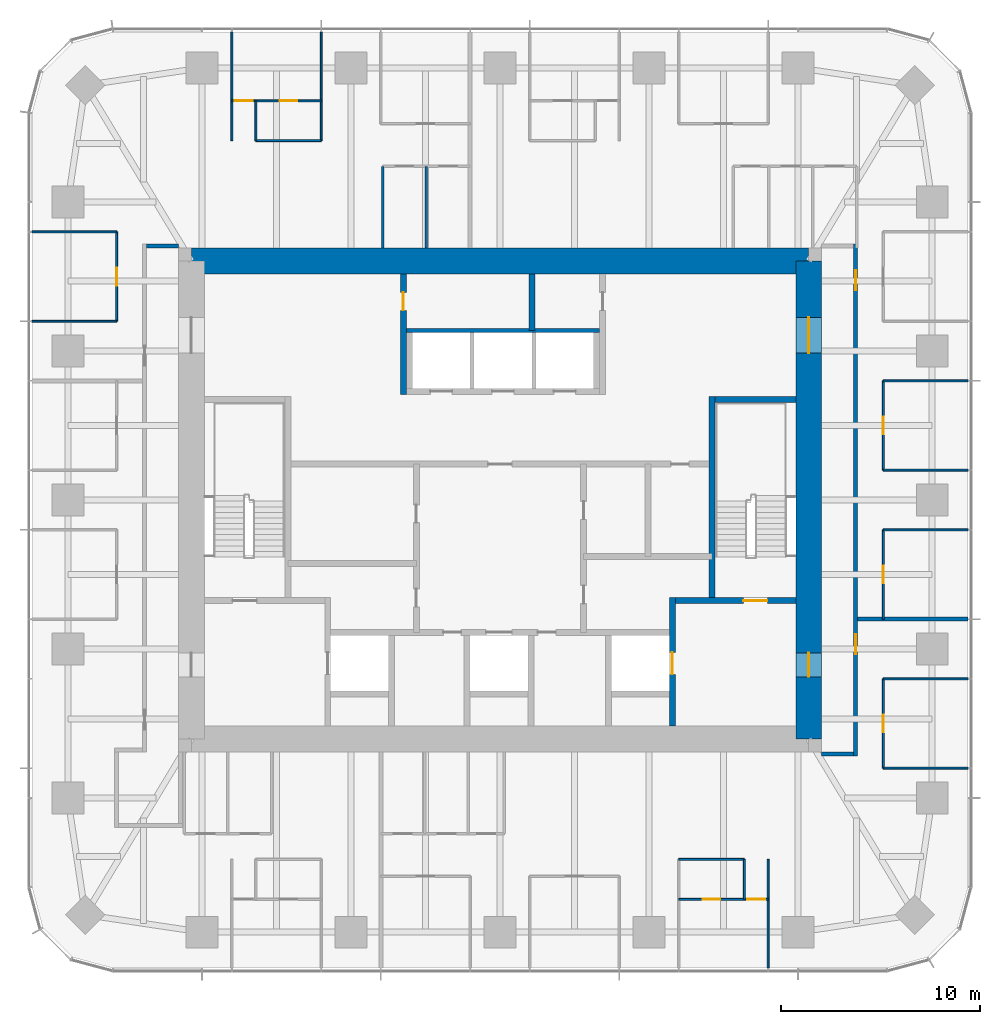
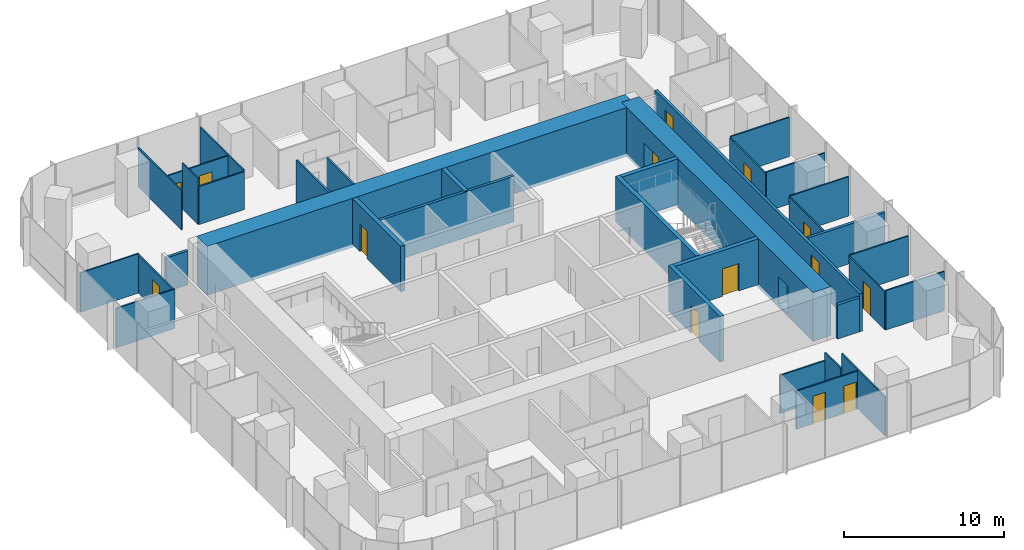
# One storey, part 10 of 12: 35 walls, 15 doors, 15 openings.
"""IFC4 building model written with IfcOpenShell, lengths in metres."""

from ifc_helpers import new_model, si_unit, direction, frame, frame_2d, origin, place, context, subcontext, project, spatial, rectangle, extrude, material, layer, layer_set, type_object, element, fill, save


model = new_model("IFC4")

# Units and contexts
model_context = context("Model", 3, precision=1e-05, world=origin(), true_north=direction((0.0, 1.0)))
body_context = subcontext(model_context, "Body", "Model", "MODEL_VIEW")
ifc_project = project(units=[si_unit("LENGTHUNIT", "METRE"), si_unit("AREAUNIT", "SQUARE_METRE"), si_unit("VOLUMEUNIT", "CUBIC_METRE"), si_unit("PLANEANGLEUNIT", "RADIAN"), si_unit("MASSUNIT", "GRAM", prefix="KILO")], contexts=[model_context])

# Site, building, storey
site_placement = place(None, origin())
site = spatial("IfcSite", under=ifc_project, at=site_placement, CompositionType="ELEMENT")
building_placement = place(site_placement, origin())
building = spatial("IfcBuilding", under=site, at=building_placement, Name="Khuree Lantern Residences", CompositionType="ELEMENT")
storey_placement = place(building_placement, frame((0.0, 0.0, 308.25)))
storey = spatial("IfcBuildingStorey", under=building, at=storey_placement, Name="L77", CompositionType="ELEMENT", Elevation=308.25)

# Walls
ifc_material_1 = material(Name="Moisture-resistant gypsum board on steel studs", Category="steel")
ifc_layer_1 = layer(ifc_material_1, 0.125)
ifc_layer_set_1 = layer_set([ifc_layer_1], Name="BATHROOM WALL BTW125")
wall_type_1 = type_object("IfcWallType", Name="BATHROOM WALL BTW125", PredefinedType="PARTITIONING", material=ifc_layer_set_1)
wall_1_placement = place(storey_placement, frame((-3.696044921875, 12.64990234375, 0.0), z_axis=(0.0, 0.0, 1.0), x_axis=(0.0, 1.0, 0.0)))
element("IfcWall", 1, at=wall_1_placement, inside=storey, type_object=wall_type_1, Name="L77 BATHROOM WALL 02", PredefinedType="PARTITIONING", context=body_context, shape_type="SweptSolid", body=[
    extrude(rectangle(XDim=4.096435546875, YDim=0.125, at=frame_2d((2.04833984375, 0.0))), origin(), (0.0, 0.0, 1.0), 2.909912109375),
])
wall_2_placement = place(storey_placement, frame((-5.89599609375, 12.64990234375, 0.0), z_axis=(0.0, 0.0, 1.0), x_axis=(0.0, 1.0, 0.0)))
element("IfcWall", 2, at=wall_2_placement, inside=storey, type_object=wall_type_1, Name="L77 BATHROOM WALL 02", PredefinedType="PARTITIONING", context=body_context, shape_type="SweptSolid", body=[
    extrude(rectangle(XDim=4.096435546875, YDim=0.125, at=frame_2d((2.04833984375, 0.0))), origin(), (0.0, 0.0, 1.0), 3.5),
])

# Wall, opening, door
ifc_material_2 = material(Name="Dense concrete blockwork", Category="masonry")
ifc_layer_2 = layer(ifc_material_2, 0.300048828125)
ifc_layer_set_2 = layer_set([ifc_layer_2], Name="CORE PARTITION WALL CPW300 EI 120")
wall_type_2 = type_object("IfcWallType", Name="CORE PARTITION WALL CPW300 EI 120", PredefinedType="PARTITIONING", material=ifc_layer_set_2)
wall_3_placement = place(storey_placement, frame((8.64990234375, -11.35009765625, 0.0), z_axis=(0.0, 0.0, 1.0), x_axis=(0.0, 1.0, 0.0)))
wall_3 = element("IfcWall", 3, at=wall_3_placement, inside=storey, type_object=wall_type_2, Name="L77 CORE WALL FL2E", PredefinedType="PARTITIONING", context=body_context, shape_type="SweptSolid", body=[
    extrude(rectangle(XDim=6.4501953125, YDim=0.300048828125, at=frame_2d((3.22509765625, 0.0))), origin(), (0.0, 0.0, 1.0), 3.5),
])
opening_1_placement = place(wall_3_placement, frame((2.60009765625, 0.0, 0.0)))
opening_1 = element("IfcOpeningElement", 4, at=opening_1_placement, cuts=wall_3, Name="Opening 77-008", PredefinedType="OPENING", context=body_context, shape_type="SweptSolid", body=[
    extrude(rectangle(XDim=1.10009765625, YDim=2.10009765625, at=frame_2d((0.550048828125, 1.050048828125))), frame((0.0, 0.16015625, 0.0), z_axis=(0.0, -1.0, 0.0), x_axis=(1.0, 0.0, 0.0)), (0.0, 0.0, 1.0), 0.320068359375),
])
ifc_material_3 = material(Name="Stainless steel lift landing door", Category="steel")
door_type_1 = type_object("IfcDoorType", Name="LIFT LANDING DOOR 1100X2100 E 120", OperationType="DOUBLE_DOOR_SLIDING", PredefinedType="DOOR", material=ifc_material_3)
door_1_placement = place(opening_1_placement, origin())
door_1 = element("IfcDoor", 5, at=door_1_placement, inside=storey, type_object=door_type_1, Name="Landing door FL2 77-008", OperationType="DOUBLE_DOOR_SLIDING", OverallHeight=2.10009765625, OverallWidth=1.10009765625, PredefinedType="DOOR", context=body_context, shape_type="SweptSolid", body=[
    extrude(rectangle(XDim=1.10009765625, YDim=2.10009765625, at=frame_2d((0.550048828125, 1.050048828125))), frame((0.0, 0.02490234375, 0.0), z_axis=(0.0, -1.0, 0.0), x_axis=(1.0, 0.0, 0.0)), (0.0, 0.0, 1.0), 0.050048828125),
])
fill(opening_1, door_1)

wall_4_placement = place(storey_placement, frame((-4.85009765625, 5.300048828125, 0.0), z_axis=(0.0, 0.0, 1.0), x_axis=(0.0, 1.0, 0.0)))
wall_4 = element("IfcWall", 6, at=wall_4_placement, inside=storey, type_object=wall_type_2, Name="L77 CORE WALL NW", PredefinedType="PARTITIONING", context=body_context, shape_type="SweptSolid", body=[
    extrude(rectangle(XDim=6.050048828125, YDim=0.300048828125, at=frame_2d((3.02490234375, 0.0))), origin(), (0.0, 0.0, 1.0), 3.5),
])
opening_2_placement = place(wall_4_placement, frame((4.22509765625, 0.0, 0.0)))
opening_2 = element("IfcOpeningElement", 7, at=opening_2_placement, cuts=wall_4, Name="Opening 77-021", PredefinedType="OPENING", context=body_context, shape_type="SweptSolid", body=[
    extrude(rectangle(XDim=0.89990234375, YDim=2.10009765625, at=frame_2d((0.449951171875, 1.050048828125))), frame((0.0, 0.16015625, 0.0), z_axis=(0.0, -1.0, 0.0), x_axis=(1.0, 0.0, 0.0)), (0.0, 0.0, 1.0), 0.320068359375),
])
ifc_material_4 = material(Name="Timber door leaf in hardwood frame", Category="wood")
door_type_2 = type_object("IfcDoorType", Name="DOOR 900X2100 RIGHT HAND", OperationType="SINGLE_SWING_RIGHT", PredefinedType="DOOR", material=ifc_material_4)
door_2_placement = place(opening_2_placement, origin())
door_2 = element("IfcDoor", 8, at=door_2_placement, inside=storey, type_object=door_type_2, Name="Parcel room door 77-021", OperationType="SINGLE_SWING_RIGHT", OverallHeight=2.10009765625, OverallWidth=0.89990234375, PredefinedType="DOOR", context=body_context, shape_type="SweptSolid", body=[
    extrude(rectangle(XDim=0.89990234375, YDim=2.10009765625, at=frame_2d((0.449951171875, 1.050048828125))), frame((0.0, 0.02490234375, 0.0), z_axis=(0.0, -1.0, 0.0), x_axis=(1.0, 0.0, 0.0)), (0.0, 0.0, 1.0), 0.050048828125),
])
fill(opening_2, door_2)

# Walls
wall_5_placement = place(storey_placement, frame((1.60009765625, 8.5, 0.0), z_axis=(0.0, 0.0, 1.0), x_axis=(0.0, 1.0, 0.0)))
element("IfcWall", 9, at=wall_5_placement, inside=storey, type_object=wall_type_2, Name="L77 CORE WALL NX", PredefinedType="PARTITIONING", context=body_context, shape_type="SweptSolid", body=[
    extrude(rectangle(XDim=2.85009765625, YDim=0.300048828125, at=frame_2d((1.425048828125, 0.0))), origin(), (0.0, 0.0, 1.0), 3.5),
])
ifc_material_5 = material(Name="Gypsum board on steel studs", Category="steel")
ifc_layer_3 = layer(ifc_material_5, 0.199951171875)
ifc_layer_set_3 = layer_set([ifc_layer_3], Name="CORRIDOR WALL CRW200 EI 60")
wall_type_3 = type_object("IfcWallType", Name="CORRIDOR WALL CRW200 EI 60", PredefinedType="PARTITIONING", material=ifc_layer_set_3)
for number, where, z_axis, x_axis, name in (
    (10, (16.14990234375, -12.75, 0.0), (0.0, 0.0, 1.0), (1.0, 0.0, 0.0), "L77 EAST CORRIDOR SOUTH END WALL"),
    (11, (-16.14990234375, 12.75, 0.0), (0.0, 0.0, 1.0), (-1.0, 0.0, 0.0), "L77 WEST CORRIDOR NORTH END WALL"),
):
    element("IfcWall", number, at=place(storey_placement, frame(where, z_axis=z_axis, x_axis=x_axis)), inside=storey, type_object=wall_type_3, Name=name, PredefinedType="PARTITIONING", context=body_context, shape_type="SweptSolid", body=[
        extrude(rectangle(XDim=1.60009765625, YDim=0.199951171875, at=frame_2d((0.800048828125, 0.0))), origin(), (0.0, 0.0, 1.0), 2.60009765625),
    ])

# Wall, openings, doors
wall_6_placement = place(storey_placement, frame((17.85009765625, -12.85009765625, 0.0), z_axis=(0.0, 0.0, 1.0), x_axis=(0.0, 1.0, 0.0)))
wall_6 = element("IfcWall", 12, at=wall_6_placement, inside=storey, type_object=wall_type_3, Name="L77 CORRIDOR WALL EAST 1", PredefinedType="PARTITIONING", context=body_context, shape_type="SweptSolid", body=[
    extrude(rectangle(XDim=25.7001953125, YDim=0.199951171875, at=frame_2d((12.85009765625, 0.0))), origin(), (0.0, 0.0, 1.0), 2.89990234375),
])
opening_3_placement = place(wall_6_placement, frame((23.385986328125, 0.0, 0.0)))
opening_3 = element("IfcOpeningElement", 13, at=opening_3_placement, cuts=wall_6, Name="Opening 77-032", PredefinedType="OPENING", context=body_context, shape_type="SweptSolid", body=[
    extrude(rectangle(XDim=1.0, YDim=2.199951171875, at=frame_2d((0.5, 1.10009765625))), frame((0.0, 0.10986328125, 0.0), z_axis=(0.0, -1.0, 0.0), x_axis=(1.0, 0.0, 0.0)), (0.0, 0.0, 1.0), 0.219970703125),
])
opening_4_placement = place(wall_6_placement, frame((5.10009765625, 0.0, 0.0)))
opening_4 = element("IfcOpeningElement", 14, at=opening_4_placement, cuts=wall_6, Name="Opening 77-055", PredefinedType="OPENING", context=body_context, shape_type="SweptSolid", body=[
    extrude(rectangle(XDim=1.0, YDim=2.199951171875, at=frame_2d((0.5, 1.10009765625))), frame((0.0, 0.10986328125, 0.0), z_axis=(0.0, -1.0, 0.0), x_axis=(1.0, 0.0, 0.0)), (0.0, 0.0, 1.0), 0.219970703125),
])
door_type_3 = type_object("IfcDoorType", Name="APARTMENT ENTRANCE DOOR 1000X2200 EI 30S", OperationType="SINGLE_SWING_LEFT", PredefinedType="DOOR", material=ifc_material_4)
door_3_placement = place(opening_4_placement, origin())
door_3 = element("IfcDoor", 15, at=door_3_placement, inside=storey, type_object=door_type_3, Name="Apartment 04 entrance door 77-055", OperationType="SINGLE_SWING_LEFT", OverallHeight=2.199951171875, OverallWidth=1.0, PredefinedType="DOOR", context=body_context, shape_type="SweptSolid", body=[
    extrude(rectangle(XDim=1.0, YDim=2.199951171875, at=frame_2d((0.5, 1.10009765625))), frame((0.0, 0.02490234375, 0.0), z_axis=(0.0, -1.0, 0.0), x_axis=(1.0, 0.0, 0.0)), (0.0, 0.0, 1.0), 0.050048828125),
])
fill(opening_4, door_3)
door_type_4 = type_object("IfcDoorType", Name="APARTMENT ENTRANCE DOOR 1000X2200 EI 30S RIGHT HAND", OperationType="SINGLE_SWING_RIGHT", PredefinedType="DOOR", material=ifc_material_4)
door_4_placement = place(opening_3_placement, origin())
door_4 = element("IfcDoor", 16, at=door_4_placement, inside=storey, type_object=door_type_4, Name="Apartment 01 entrance door 77-032", OperationType="SINGLE_SWING_RIGHT", OverallHeight=2.199951171875, OverallWidth=1.0, PredefinedType="DOOR", context=body_context, shape_type="SweptSolid", body=[
    extrude(rectangle(XDim=1.0, YDim=2.199951171875, at=frame_2d((0.5, 1.10009765625))), frame((0.0, 0.02490234375, 0.0), z_axis=(0.0, -1.0, 0.0), x_axis=(1.0, 0.0, 0.0)), (0.0, 0.0, 1.0), 0.050048828125),
])
fill(opening_3, door_4)

ifc_material_6 = material(Name="Concrete C50/60", Category="concrete")
ifc_layer_4 = layer(ifc_material_6, 1.300048828125)
ifc_layer_set_4 = layer_set([ifc_layer_4], Name="CW1300-C50 CORE WALL C50 1300")
wall_type_4 = type_object("IfcWallType", Name="CW1300-C50 CORE WALL C50 1300", PredefinedType="SHEAR", material=ifc_layer_set_4)
wall_7_placement = place(storey_placement, frame((15.5, -12.0, -0.25), z_axis=(0.0, 0.0, 1.0), x_axis=(0.0, 1.0, 0.0)))
wall_7 = element("IfcWall", 17, at=wall_7_placement, inside=storey, type_object=wall_type_4, Name="Core wall E", PredefinedType="SHEAR", context=body_context, shape_type="SweptSolid", body=[
    extrude(rectangle(XDim=24.0, YDim=1.300048828125, at=frame_2d((12.0, 0.0))), origin(), (0.0, 0.0, 1.0), 3.75),
])
opening_5_placement = place(wall_7_placement, frame((3.125, 0.0, 0.25)))
opening_5 = element("IfcOpeningElement", 18, at=opening_5_placement, cuts=wall_7, Name="Opening 77-005", PredefinedType="OPENING", context=body_context, shape_type="SweptSolid", body=[
    extrude(rectangle(XDim=1.199951171875, YDim=2.10009765625, at=frame_2d((0.60009765625, 1.050048828125))), frame((0.0, 0.66015625, 0.0), z_axis=(0.0, -1.0, 0.0), x_axis=(1.0, 0.0, 0.0)), (0.0, 0.0, 1.0), 1.320068359375),
])
opening_6_placement = place(wall_7_placement, frame((19.375, 0.0, 0.25)))
opening_6 = element("IfcOpeningElement", 19, at=opening_6_placement, cuts=wall_7, Name="Opening 77-006", PredefinedType="OPENING", context=body_context, shape_type="SweptSolid", body=[
    extrude(rectangle(XDim=1.800048828125, YDim=2.10009765625, at=frame_2d((0.89990234375, 1.050048828125))), frame((0.0, 0.66015625, 0.0), z_axis=(0.0, -1.0, 0.0), x_axis=(1.0, 0.0, 0.0)), (0.0, 0.0, 1.0), 1.320068359375),
])
ifc_material_7 = material(Name="Steel door leaf in steel frame", Category="steel")
door_type_5 = type_object("IfcDoorType", Name="LOBBY DOOR 1200X2100 EI 120", OperationType="SINGLE_SWING_LEFT", PredefinedType="DOOR", material=ifc_material_7)
door_5_placement = place(opening_5_placement, origin())
door_5 = element("IfcDoor", 20, at=door_5_placement, inside=storey, type_object=door_type_5, Name="Firefighting lobby door 77-005", OperationType="SINGLE_SWING_LEFT", OverallHeight=2.10009765625, OverallWidth=1.199951171875, PredefinedType="DOOR", context=body_context, shape_type="SweptSolid", body=[
    extrude(rectangle(XDim=1.199951171875, YDim=2.10009765625, at=frame_2d((0.60009765625, 1.050048828125))), frame((0.0, 0.02490234375, 0.0), z_axis=(0.0, -1.0, 0.0), x_axis=(1.0, 0.0, 0.0)), (0.0, 0.0, 1.0), 0.050048828125),
])
fill(opening_5, door_5)
door_type_6 = type_object("IfcDoorType", Name="LOBBY DOUBLE DOOR 1800X2100 EI 60", OperationType="DOUBLE_DOOR_SINGLE_SWING", PredefinedType="DOOR", material=ifc_material_7)
door_6_placement = place(opening_6_placement, origin())
door_6 = element("IfcDoor", 21, at=door_6_placement, inside=storey, type_object=door_type_6, Name="Lift lobby door 77-006", OperationType="DOUBLE_DOOR_SINGLE_SWING", OverallHeight=2.10009765625, OverallWidth=1.800048828125, PredefinedType="DOOR", context=body_context, shape_type="SweptSolid", body=[
    extrude(rectangle(XDim=1.800048828125, YDim=2.10009765625, at=frame_2d((0.89990234375, 1.050048828125))), frame((0.0, 0.02490234375, 0.0), z_axis=(0.0, -1.0, 0.0), x_axis=(1.0, 0.0, 0.0)), (0.0, 0.0, 1.0), 0.050048828125),
])
fill(opening_6, door_6)

# Walls
wall_8_placement = place(storey_placement, frame((-15.5, 12.0, -0.25), z_axis=(0.0, 0.0, 1.0), x_axis=(1.0, 0.0, 0.0)))
element("IfcWall", 22, at=wall_8_placement, inside=storey, type_object=wall_type_4, Name="Core wall N", PredefinedType="SHEAR", context=body_context, shape_type="SweptSolid", body=[
    extrude(rectangle(XDim=31.0, YDim=1.300048828125, at=frame_2d((15.5, 0.0))), origin(), (0.0, 0.0, 1.0), 3.75),
])
ifc_layer_5 = layer(ifc_material_5, 0.199951171875)
ifc_layer_set_5 = layer_set([ifc_layer_5], Name="DEMISING WALL DMW200 EI 90")
wall_type_5 = type_object("IfcWallType", Name="DEMISING WALL DMW200 EI 90", PredefinedType="PARTITIONING", material=ifc_layer_set_5)
wall_9_placement = place(storey_placement, frame((17.949951171875, -5.98388671875, 0.0), z_axis=(0.0, 0.0, 1.0), x_axis=(1.0, 0.0, 0.0)))
element("IfcWall", 23, at=wall_9_placement, inside=storey, type_object=wall_type_5, Name="L77 DEMISING WALL 01", PredefinedType="PARTITIONING", context=body_context, shape_type="SweptSolid", body=[
    extrude(rectangle(XDim=5.550048828125, YDim=0.199951171875, at=frame_2d((2.77490234375, 0.0))), origin(), (0.0, 0.0, 1.0), 3.010009765625),
])
ifc_layer_6 = layer(ifc_material_5, 0.10009765625)
ifc_layer_set_6 = layer_set([ifc_layer_6], Name="PARTITION PT100")
wall_type_6 = type_object("IfcWallType", Name="PARTITION PT100", PredefinedType="PARTITIONING", material=ifc_layer_set_6)
for number, where, z_axis, x_axis, name in (
    (24, (19.25, -1.49609375, 0.0), (0.0, 0.0, 1.0), (1.0, 0.0, 0.0), "L77 PARTITION 01"),
    (25, (19.25, 1.49609375, 0.0), (0.0, 0.0, 1.0), (1.0, 0.0, 0.0), "L77 PARTITION 01"),
    (26, (19.25, 5.98388671875, 0.0), (0.0, 0.0, 1.0), (1.0, 0.0, 0.0), "L77 PARTITION 01"),
):
    element("IfcWall", number, at=place(storey_placement, frame(where, z_axis=z_axis, x_axis=x_axis)), inside=storey, type_object=wall_type_6, Name=name, PredefinedType="PARTITIONING", context=body_context, shape_type="SweptSolid", body=[
        extrude(rectangle(XDim=4.25, YDim=0.10009765625, at=frame_2d((2.125, 0.0))), origin(), (0.0, 0.0, 1.0), 3.010009765625),
    ])
for number, where, z_axis, x_axis, name in (
    (27, (-8.97607421875, 18.04638671875, 0.0), (0.0, 0.0, 1.0), (0.0, 1.0, 0.0), "L77 PARTITION 02"),
    (28, (-13.464111328125, 18.04638671875, 0.0), (0.0, 0.0, 1.0), (0.0, 1.0, 0.0), "L77 PARTITION 02"),
):
    element("IfcWall", number, at=place(storey_placement, frame(where, z_axis=z_axis, x_axis=x_axis)), inside=storey, type_object=wall_type_6, Name=name, PredefinedType="PARTITIONING", context=body_context, shape_type="SweptSolid", body=[
        extrude(rectangle(XDim=5.45361328125, YDim=0.10009765625, at=frame_2d((2.726806640625, 0.0))), origin(), (0.0, 0.0, 1.0), 3.010009765625),
    ])
for number, where, z_axis, x_axis, name in (
    (29, (-19.25, 13.464111328125, 0.0), (0.0, 0.0, 1.0), (-1.0, 0.0, 0.0), "L77 PARTITION 02"),
    (30, (-19.25, 8.97607421875, 0.0), (0.0, 0.0, 1.0), (-1.0, 0.0, 0.0), "L77 PARTITION 02"),
):
    element("IfcWall", number, at=place(storey_placement, frame(where, z_axis=z_axis, x_axis=x_axis)), inside=storey, type_object=wall_type_6, Name=name, PredefinedType="PARTITIONING", context=body_context, shape_type="SweptSolid", body=[
        extrude(rectangle(XDim=4.25, YDim=0.10009765625, at=frame_2d((2.125, 0.0))), origin(), (0.0, 0.0, 1.0), 3.010009765625),
    ])
wall_10_placement = place(storey_placement, frame((13.464111328125, -18.04638671875, 0.0), z_axis=(0.0, 0.0, 1.0), x_axis=(0.0, -1.0, 0.0)))
element("IfcWall", 31, at=wall_10_placement, inside=storey, type_object=wall_type_6, Name="L77 PARTITION 04", PredefinedType="PARTITIONING", context=body_context, shape_type="SweptSolid", body=[
    extrude(rectangle(XDim=5.45361328125, YDim=0.10009765625, at=frame_2d((2.726806640625, 0.0))), origin(), (0.0, 0.0, 1.0), 3.010009765625),
])
for number, where, z_axis, x_axis, name in (
    (32, (19.25, -13.464111328125, 0.0), (0.0, 0.0, 1.0), (1.0, 0.0, 0.0), "L77 PARTITION 04"),
    (33, (19.25, -8.97607421875, 0.0), (0.0, 0.0, 1.0), (1.0, 0.0, 0.0), "L77 PARTITION 04"),
):
    element("IfcWall", number, at=place(storey_placement, frame(where, z_axis=z_axis, x_axis=x_axis)), inside=storey, type_object=wall_type_6, Name=name, PredefinedType="PARTITIONING", context=body_context, shape_type="SweptSolid", body=[
        extrude(rectangle(XDim=4.25, YDim=0.10009765625, at=frame_2d((2.125, 0.0))), origin(), (0.0, 0.0, 1.0), 3.010009765625),
    ])

# Wall, opening, door
wall_11_placement = place(storey_placement, frame((19.25, -5.98388671875, 0.0), z_axis=(0.0, 0.0, 1.0), x_axis=(0.0, 1.0, 0.0)))
wall_11 = element("IfcWall", 34, at=wall_11_placement, inside=storey, type_object=wall_type_6, Name="L77 PARTITION 01", PredefinedType="PARTITIONING", context=body_context, shape_type="SweptSolid", body=[
    extrude(rectangle(XDim=4.48779296875, YDim=0.10009765625, at=frame_2d((2.243896484375, 0.0))), origin(), (0.0, 0.0, 1.0), 2.909912109375),
])
opening_7_placement = place(wall_11_placement, frame((1.7939453125, 0.0, 0.0)))
opening_7 = element("IfcOpeningElement", 35, at=opening_7_placement, cuts=wall_11, Name="Opening 77-023", PredefinedType="OPENING", context=body_context, shape_type="SweptSolid", body=[
    extrude(rectangle(XDim=0.89990234375, YDim=2.10009765625, at=frame_2d((0.449951171875, 1.050048828125))), frame((0.0, 0.06005859375, 0.0), z_axis=(0.0, -1.0, 0.0), x_axis=(1.0, 0.0, 0.0)), (0.0, 0.0, 1.0), 0.1201171875),
])
door_type_7 = type_object("IfcDoorType", Name="BEDROOM DOOR 900X2100", OperationType="SINGLE_SWING_LEFT", PredefinedType="DOOR", material=ifc_material_4)
door_7_placement = place(opening_7_placement, origin())
door_7 = element("IfcDoor", 36, at=door_7_placement, inside=storey, type_object=door_type_7, Name="Bedroom door 77-023", OperationType="SINGLE_SWING_LEFT", OverallHeight=2.10009765625, OverallWidth=0.89990234375, PredefinedType="DOOR", context=body_context, shape_type="SweptSolid", body=[
    extrude(rectangle(XDim=0.89990234375, YDim=2.10009765625, at=frame_2d((0.449951171875, 1.050048828125))), frame((0.0, 0.02490234375, 0.0), z_axis=(0.0, -1.0, 0.0), x_axis=(1.0, 0.0, 0.0)), (0.0, 0.0, 1.0), 0.050048828125),
])
fill(opening_7, door_7)

wall_12_placement = place(storey_placement, frame((19.25, 1.49609375, 0.0), z_axis=(0.0, 0.0, 1.0), x_axis=(0.0, 1.0, 0.0)))
wall_12 = element("IfcWall", 37, at=wall_12_placement, inside=storey, type_object=wall_type_6, Name="L77 PARTITION 01", PredefinedType="PARTITIONING", context=body_context, shape_type="SweptSolid", body=[
    extrude(rectangle(XDim=4.48779296875, YDim=0.10009765625, at=frame_2d((2.243896484375, 0.0))), origin(), (0.0, 0.0, 1.0), 2.909912109375),
])
opening_8_placement = place(wall_12_placement, frame((1.7939453125, 0.0, 0.0)))
opening_8 = element("IfcOpeningElement", 38, at=opening_8_placement, cuts=wall_12, Name="Opening 77-024", PredefinedType="OPENING", context=body_context, shape_type="SweptSolid", body=[
    extrude(rectangle(XDim=0.89990234375, YDim=2.10009765625, at=frame_2d((0.449951171875, 1.050048828125))), frame((0.0, 0.06005859375, 0.0), z_axis=(0.0, -1.0, 0.0), x_axis=(1.0, 0.0, 0.0)), (0.0, 0.0, 1.0), 0.1201171875),
])
door_8_placement = place(opening_8_placement, origin())
door_8 = element("IfcDoor", 39, at=door_8_placement, inside=storey, type_object=door_type_7, Name="Bedroom door 77-024", OperationType="SINGLE_SWING_LEFT", OverallHeight=2.10009765625, OverallWidth=0.89990234375, PredefinedType="DOOR", context=body_context, shape_type="SweptSolid", body=[
    extrude(rectangle(XDim=0.89990234375, YDim=2.10009765625, at=frame_2d((0.449951171875, 1.050048828125))), frame((0.0, 0.02490234375, 0.0), z_axis=(0.0, -1.0, 0.0), x_axis=(1.0, 0.0, 0.0)), (0.0, 0.0, 1.0), 0.050048828125),
])
fill(opening_8, door_8)

# Wall, openings, doors
wall_13_placement = place(storey_placement, frame((-8.97607421875, 20.04638671875, 0.0), z_axis=(0.0, 0.0, 1.0), x_axis=(-1.0, 0.0, 0.0)))
wall_13 = element("IfcWall", 40, at=wall_13_placement, inside=storey, type_object=wall_type_6, Name="L77 PARTITION 02", PredefinedType="PARTITIONING", context=body_context, shape_type="SweptSolid", body=[
    extrude(rectangle(XDim=4.488037109375, YDim=0.10009765625, at=frame_2d((2.244140625, 0.0))), origin(), (0.0, 0.0, 1.0), 2.909912109375),
])
opening_9_placement = place(wall_13_placement, frame((3.43798828125, 0.0, 0.0)))
opening_9 = element("IfcOpeningElement", 41, at=opening_9_placement, cuts=wall_13, Name="Opening 77-034", PredefinedType="OPENING", context=body_context, shape_type="SweptSolid", body=[
    extrude(rectangle(XDim=0.89990234375, YDim=2.10009765625, at=frame_2d((0.449951171875, 1.050048828125))), frame((0.0, 0.06005859375, 0.0), z_axis=(0.0, -1.0, 0.0), x_axis=(1.0, 0.0, 0.0)), (0.0, 0.0, 1.0), 0.1201171875),
])
opening_10_placement = place(wall_13_placement, frame((1.194091796875, 0.0, 0.0)))
opening_10 = element("IfcOpeningElement", 42, at=opening_10_placement, cuts=wall_13, Name="Opening 77-035", PredefinedType="OPENING", context=body_context, shape_type="SweptSolid", body=[
    extrude(rectangle(XDim=0.89990234375, YDim=2.10009765625, at=frame_2d((0.449951171875, 1.050048828125))), frame((0.0, 0.06005859375, 0.0), z_axis=(0.0, -1.0, 0.0), x_axis=(1.0, 0.0, 0.0)), (0.0, 0.0, 1.0), 0.1201171875),
])
door_9_placement = place(opening_9_placement, origin())
door_9 = element("IfcDoor", 43, at=door_9_placement, inside=storey, type_object=door_type_7, Name="Bedroom door 77-034", OperationType="SINGLE_SWING_LEFT", OverallHeight=2.10009765625, OverallWidth=0.89990234375, PredefinedType="DOOR", context=body_context, shape_type="SweptSolid", body=[
    extrude(rectangle(XDim=0.89990234375, YDim=2.10009765625, at=frame_2d((0.449951171875, 1.050048828125))), frame((0.0, 0.02490234375, 0.0), z_axis=(0.0, -1.0, 0.0), x_axis=(1.0, 0.0, 0.0)), (0.0, 0.0, 1.0), 0.050048828125),
])
fill(opening_9, door_9)
door_type_8 = type_object("IfcDoorType", Name="DOOR 900X2100", OperationType="SINGLE_SWING_LEFT", PredefinedType="DOOR", material=ifc_material_4)
door_10_placement = place(opening_10_placement, origin())
door_10 = element("IfcDoor", 44, at=door_10_placement, inside=storey, type_object=door_type_8, Name="Wardrobe door 77-035", OperationType="SINGLE_SWING_LEFT", OverallHeight=2.10009765625, OverallWidth=0.89990234375, PredefinedType="DOOR", context=body_context, shape_type="SweptSolid", body=[
    extrude(rectangle(XDim=0.89990234375, YDim=2.10009765625, at=frame_2d((0.449951171875, 1.050048828125))), frame((0.0, 0.02490234375, 0.0), z_axis=(0.0, -1.0, 0.0), x_axis=(1.0, 0.0, 0.0)), (0.0, 0.0, 1.0), 0.050048828125),
])
fill(opening_10, door_10)

# Walls
wall_14_placement = place(storey_placement, frame((-12.263916015625, 18.04638671875, 0.0), z_axis=(0.0, 0.0, 1.0), x_axis=(0.0, 1.0, 0.0)))
element("IfcWall", 45, at=wall_14_placement, inside=storey, type_object=wall_type_6, Name="L77 PARTITION 02", PredefinedType="PARTITIONING", context=body_context, shape_type="SweptSolid", body=[
    extrude(rectangle(XDim=2.0, YDim=0.10009765625, at=frame_2d((1.0, 0.0))), origin(), (0.0, 0.0, 1.0), 3.5),
])
wall_15_placement = place(storey_placement, frame((-8.97607421875, 18.04638671875, 0.0), z_axis=(0.0, 0.0, 1.0), x_axis=(-1.0, 0.0, 0.0)))
element("IfcWall", 46, at=wall_15_placement, inside=storey, type_object=wall_type_6, Name="L77 PARTITION 02", PredefinedType="PARTITIONING", context=body_context, shape_type="SweptSolid", body=[
    extrude(rectangle(XDim=3.287841796875, YDim=0.10009765625, at=frame_2d((1.64404296875, 0.0))), origin(), (0.0, 0.0, 1.0), 2.909912109375),
])

# Wall, opening, door
wall_16_placement = place(storey_placement, frame((-19.25, 13.464111328125, 0.0), z_axis=(0.0, 0.0, 1.0), x_axis=(0.0, -1.0, 0.0)))
wall_16 = element("IfcWall", 47, at=wall_16_placement, inside=storey, type_object=wall_type_6, Name="L77 PARTITION 02", PredefinedType="PARTITIONING", context=body_context, shape_type="SweptSolid", body=[
    extrude(rectangle(XDim=4.488037109375, YDim=0.10009765625, at=frame_2d((2.244140625, 0.0))), origin(), (0.0, 0.0, 1.0), 2.909912109375),
])
opening_11_placement = place(wall_16_placement, frame((1.7939453125, 0.0, 0.0)))
opening_11 = element("IfcOpeningElement", 48, at=opening_11_placement, cuts=wall_16, Name="Opening 77-036", PredefinedType="OPENING", context=body_context, shape_type="SweptSolid", body=[
    extrude(rectangle(XDim=0.89990234375, YDim=2.10009765625, at=frame_2d((0.449951171875, 1.050048828125))), frame((0.0, 0.06005859375, 0.0), z_axis=(0.0, -1.0, 0.0), x_axis=(1.0, 0.0, 0.0)), (0.0, 0.0, 1.0), 0.1201171875),
])
door_11_placement = place(opening_11_placement, origin())
door_11 = element("IfcDoor", 49, at=door_11_placement, inside=storey, type_object=door_type_7, Name="Bedroom door 77-036", OperationType="SINGLE_SWING_LEFT", OverallHeight=2.10009765625, OverallWidth=0.89990234375, PredefinedType="DOOR", context=body_context, shape_type="SweptSolid", body=[
    extrude(rectangle(XDim=0.89990234375, YDim=2.10009765625, at=frame_2d((0.449951171875, 1.050048828125))), frame((0.0, 0.02490234375, 0.0), z_axis=(0.0, -1.0, 0.0), x_axis=(1.0, 0.0, 0.0)), (0.0, 0.0, 1.0), 0.050048828125),
])
fill(opening_11, door_11)

# Wall, openings, doors
wall_17_placement = place(storey_placement, frame((8.97607421875, -20.04638671875, 0.0), z_axis=(0.0, 0.0, 1.0), x_axis=(1.0, 0.0, 0.0)))
wall_17 = element("IfcWall", 50, at=wall_17_placement, inside=storey, type_object=wall_type_6, Name="L77 PARTITION 04", PredefinedType="PARTITIONING", context=body_context, shape_type="SweptSolid", body=[
    extrude(rectangle(XDim=4.488037109375, YDim=0.10009765625, at=frame_2d((2.244140625, 0.0))), origin(), (0.0, 0.0, 1.0), 2.909912109375),
])
opening_12_placement = place(wall_17_placement, frame((3.43798828125, 0.0, 0.0)))
opening_12 = element("IfcOpeningElement", 51, at=opening_12_placement, cuts=wall_17, Name="Opening 77-049", PredefinedType="OPENING", context=body_context, shape_type="SweptSolid", body=[
    extrude(rectangle(XDim=0.89990234375, YDim=2.10009765625, at=frame_2d((0.449951171875, 1.050048828125))), frame((0.0, 0.06005859375, 0.0), z_axis=(0.0, -1.0, 0.0), x_axis=(1.0, 0.0, 0.0)), (0.0, 0.0, 1.0), 0.1201171875),
])
opening_13_placement = place(wall_17_placement, frame((1.194091796875, 0.0, 0.0)))
opening_13 = element("IfcOpeningElement", 52, at=opening_13_placement, cuts=wall_17, Name="Opening 77-050", PredefinedType="OPENING", context=body_context, shape_type="SweptSolid", body=[
    extrude(rectangle(XDim=0.89990234375, YDim=2.10009765625, at=frame_2d((0.449951171875, 1.050048828125))), frame((0.0, 0.06005859375, 0.0), z_axis=(0.0, -1.0, 0.0), x_axis=(1.0, 0.0, 0.0)), (0.0, 0.0, 1.0), 0.1201171875),
])
door_12_placement = place(opening_12_placement, origin())
door_12 = element("IfcDoor", 53, at=door_12_placement, inside=storey, type_object=door_type_7, Name="Bedroom door 77-049", OperationType="SINGLE_SWING_LEFT", OverallHeight=2.10009765625, OverallWidth=0.89990234375, PredefinedType="DOOR", context=body_context, shape_type="SweptSolid", body=[
    extrude(rectangle(XDim=0.89990234375, YDim=2.10009765625, at=frame_2d((0.449951171875, 1.050048828125))), frame((0.0, 0.02490234375, 0.0), z_axis=(0.0, -1.0, 0.0), x_axis=(1.0, 0.0, 0.0)), (0.0, 0.0, 1.0), 0.050048828125),
])
fill(opening_12, door_12)
door_13_placement = place(opening_13_placement, origin())
door_13 = element("IfcDoor", 54, at=door_13_placement, inside=storey, type_object=door_type_8, Name="Wardrobe door 77-050", OperationType="SINGLE_SWING_LEFT", OverallHeight=2.10009765625, OverallWidth=0.89990234375, PredefinedType="DOOR", context=body_context, shape_type="SweptSolid", body=[
    extrude(rectangle(XDim=0.89990234375, YDim=2.10009765625, at=frame_2d((0.449951171875, 1.050048828125))), frame((0.0, 0.02490234375, 0.0), z_axis=(0.0, -1.0, 0.0), x_axis=(1.0, 0.0, 0.0)), (0.0, 0.0, 1.0), 0.050048828125),
])
fill(opening_13, door_13)

# Walls
wall_18_placement = place(storey_placement, frame((12.263916015625, -18.04638671875, 0.0), z_axis=(0.0, 0.0, 1.0), x_axis=(0.0, -1.0, 0.0)))
element("IfcWall", 55, at=wall_18_placement, inside=storey, type_object=wall_type_6, Name="L77 PARTITION 04", PredefinedType="PARTITIONING", context=body_context, shape_type="SweptSolid", body=[
    extrude(rectangle(XDim=2.0, YDim=0.10009765625, at=frame_2d((1.0, 0.0))), origin(), (0.0, 0.0, 1.0), 3.5),
])
wall_19_placement = place(storey_placement, frame((8.97607421875, -18.04638671875, 0.0), z_axis=(0.0, 0.0, 1.0), x_axis=(1.0, 0.0, 0.0)))
element("IfcWall", 56, at=wall_19_placement, inside=storey, type_object=wall_type_6, Name="L77 PARTITION 04", PredefinedType="PARTITIONING", context=body_context, shape_type="SweptSolid", body=[
    extrude(rectangle(XDim=3.287841796875, YDim=0.10009765625, at=frame_2d((1.64404296875, 0.0))), origin(), (0.0, 0.0, 1.0), 2.909912109375),
])

# Wall, opening, door
wall_20_placement = place(storey_placement, frame((19.25, -13.464111328125, 0.0), z_axis=(0.0, 0.0, 1.0), x_axis=(0.0, 1.0, 0.0)))
wall_20 = element("IfcWall", 57, at=wall_20_placement, inside=storey, type_object=wall_type_6, Name="L77 PARTITION 04", PredefinedType="PARTITIONING", context=body_context, shape_type="SweptSolid", body=[
    extrude(rectangle(XDim=4.488037109375, YDim=0.10009765625, at=frame_2d((2.244140625, 0.0))), origin(), (0.0, 0.0, 1.0), 2.909912109375),
])
opening_14_placement = place(wall_20_placement, frame((1.7939453125, 0.0, 0.0)))
opening_14 = element("IfcOpeningElement", 58, at=opening_14_placement, cuts=wall_20, Name="Opening 77-051", PredefinedType="OPENING", context=body_context, shape_type="SweptSolid", body=[
    extrude(rectangle(XDim=0.89990234375, YDim=2.10009765625, at=frame_2d((0.449951171875, 1.050048828125))), frame((0.0, 0.06005859375, 0.0), z_axis=(0.0, -1.0, 0.0), x_axis=(1.0, 0.0, 0.0)), (0.0, 0.0, 1.0), 0.1201171875),
])
door_14_placement = place(opening_14_placement, origin())
door_14 = element("IfcDoor", 59, at=door_14_placement, inside=storey, type_object=door_type_7, Name="Bedroom door 77-051", OperationType="SINGLE_SWING_LEFT", OverallHeight=2.10009765625, OverallWidth=0.89990234375, PredefinedType="DOOR", context=body_context, shape_type="SweptSolid", body=[
    extrude(rectangle(XDim=0.89990234375, YDim=2.10009765625, at=frame_2d((0.449951171875, 1.050048828125))), frame((0.0, 0.02490234375, 0.0), z_axis=(0.0, -1.0, 0.0), x_axis=(1.0, 0.0, 0.0)), (0.0, 0.0, 1.0), 0.050048828125),
])
fill(opening_14, door_14)

# Walls
ifc_layer_7 = layer(ifc_material_2, 0.199951171875)
ifc_layer_set_7 = layer_set([ifc_layer_7], Name="SHAFT WALL SHW200 EI 120")
wall_type_7 = type_object("IfcWallType", Name="SHAFT WALL SHW200 EI 120", PredefinedType="PARTITIONING", material=ifc_layer_set_7)
wall_21_placement = place(storey_placement, frame((-4.699951171875, 8.5, 0.0), z_axis=(0.0, 0.0, 1.0), x_axis=(1.0, 0.0, 0.0)))
element("IfcWall", 60, at=wall_21_placement, inside=storey, type_object=wall_type_7, Name="L77 CORE WALL PHN", PredefinedType="PARTITIONING", context=body_context, shape_type="SweptSolid", body=[
    extrude(rectangle(XDim=9.699951171875, YDim=0.199951171875, at=frame_2d((4.85009765625, 0.0))), origin(), (0.0, 0.0, 1.0), 3.5),
])
ifc_layer_8 = layer(ifc_material_6, 0.300048828125)
ifc_layer_set_8 = layer_set([ifc_layer_8], Name="STAIR WALL SRW300 C50/60 REI 240")
wall_type_8 = type_object("IfcWallType", Name="STAIR WALL SRW300 C50/60 REI 240", PredefinedType="SOLIDWALL", material=ifc_layer_set_8)
wall_22_placement = place(storey_placement, frame((10.64990234375, -4.89990234375, 0.0), z_axis=(0.0, 0.0, 1.0), x_axis=(0.0, 1.0, 0.0)))
element("IfcWall", 61, at=wall_22_placement, inside=storey, type_object=wall_type_8, Name="L77 STAIR WALL ST2E", PredefinedType="SOLIDWALL", context=body_context, shape_type="SweptSolid", body=[
    extrude(rectangle(XDim=10.099853515625, YDim=0.300048828125, at=frame_2d((5.0498046875, 0.0))), origin(), (0.0, 0.0, 1.0), 3.5),
])

# Wall, opening, door
wall_23_placement = place(storey_placement, frame((14.85009765625, -5.050048828125, 0.0), z_axis=(0.0, 0.0, 1.0), x_axis=(-1.0, 0.0, 0.0)))
wall_23 = element("IfcWall", 62, at=wall_23_placement, inside=storey, type_object=wall_type_8, Name="L77 STAIR WALL ST2S", PredefinedType="SOLIDWALL", context=body_context, shape_type="SweptSolid", body=[
    extrude(rectangle(XDim=6.050048828125, YDim=0.300048828125, at=frame_2d((3.02490234375, 0.0))), origin(), (0.0, 0.0, 1.0), 3.5),
])
opening_15_placement = place(wall_23_placement, frame((1.425048828125, 0.0, 0.0)))
opening_15 = element("IfcOpeningElement", 63, at=opening_15_placement, cuts=wall_23, Name="Opening 77-004", PredefinedType="OPENING", context=body_context, shape_type="SweptSolid", body=[
    extrude(rectangle(XDim=1.199951171875, YDim=2.10009765625, at=frame_2d((0.60009765625, 1.050048828125))), frame((0.0, 0.16015625, 0.0), z_axis=(0.0, -1.0, 0.0), x_axis=(1.0, 0.0, 0.0)), (0.0, 0.0, 1.0), 0.320068359375),
])
door_type_9 = type_object("IfcDoorType", Name="STAIR DOOR 1200X2100 EI 120", OperationType="SINGLE_SWING_LEFT", PredefinedType="DOOR", material=ifc_material_7)
door_15_placement = place(opening_15_placement, origin())
door_15 = element("IfcDoor", 64, at=door_15_placement, inside=storey, type_object=door_type_9, Name="Stair ST2 door 77-004", OperationType="SINGLE_SWING_LEFT", OverallHeight=2.10009765625, OverallWidth=1.199951171875, PredefinedType="DOOR", context=body_context, shape_type="SweptSolid", body=[
    extrude(rectangle(XDim=1.199951171875, YDim=2.10009765625, at=frame_2d((0.60009765625, 1.050048828125))), frame((0.0, 0.02490234375, 0.0), z_axis=(0.0, -1.0, 0.0), x_axis=(1.0, 0.0, 0.0)), (0.0, 0.0, 1.0), 0.050048828125),
])
fill(opening_15, door_15)

# Wall
wall_24_placement = place(storey_placement, frame((14.85009765625, 5.050048828125, 0.0), z_axis=(0.0, 0.0, 1.0), x_axis=(-1.0, 0.0, 0.0)))
element("IfcWall", 65, at=wall_24_placement, inside=storey, type_object=wall_type_8, Name="L77 STAIR WALL ST2N", PredefinedType="SOLIDWALL", context=body_context, shape_type="SweptSolid", body=[
    extrude(rectangle(XDim=4.050048828125, YDim=0.300048828125, at=frame_2d((2.02490234375, 0.0))), origin(), (0.0, 0.0, 1.0), 3.5),
])

save(model, "model.ifc")
